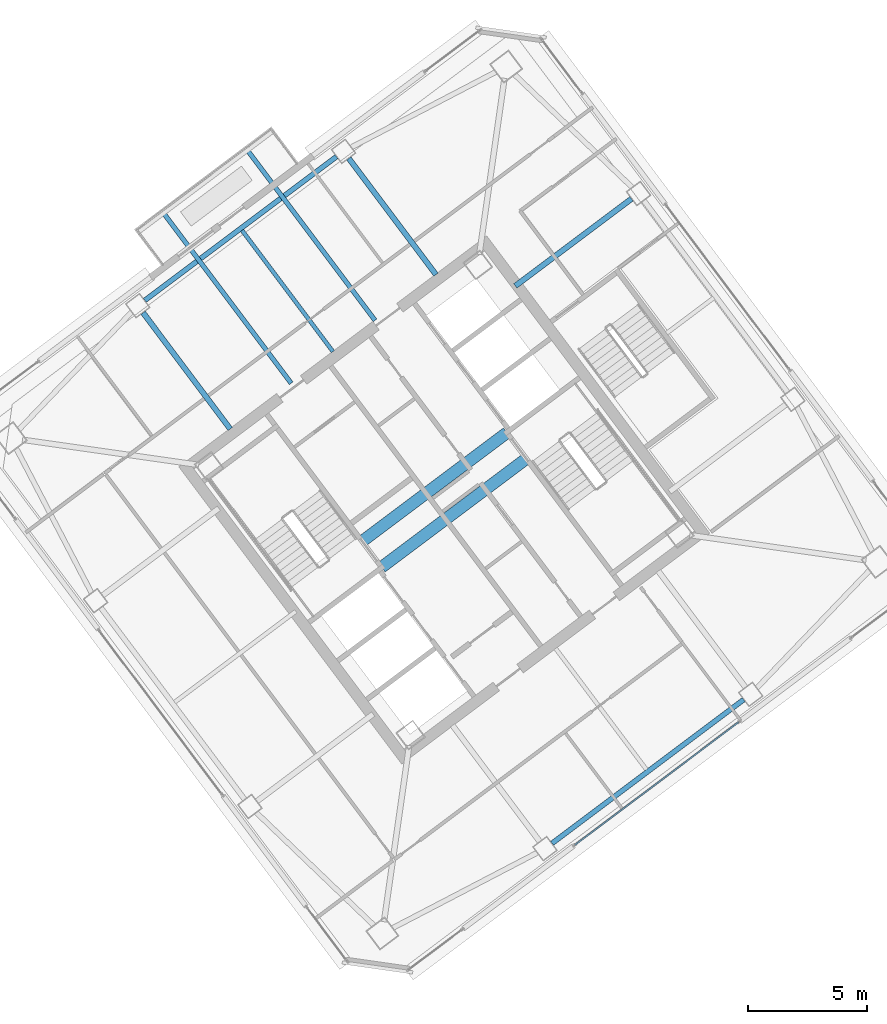
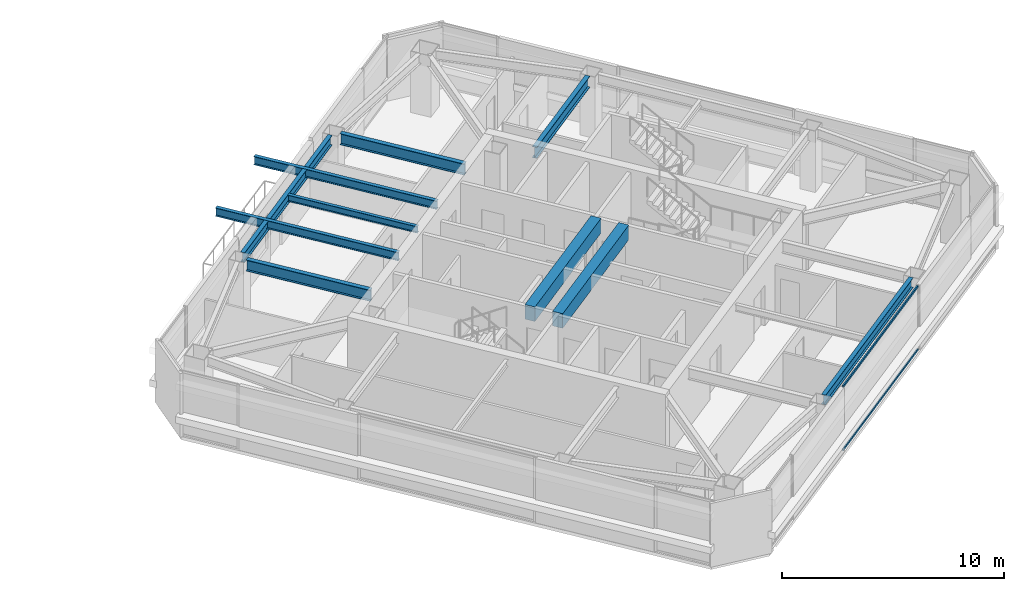
# One storey, part 20 of 36: 10 beams, 2 members, 1 element without a shape of its own.
"""IFC4 building model written with IfcOpenShell, lengths in metres."""

from ifc_helpers import new_model, si_unit, direction, frame, origin, origin_2d, place, context, subcontext, project, spatial, rectangle, hollow_rectangle, i_section, extrude, material, material_profile, profile_set, type_object, element, aggregate, save


model = new_model("IFC4")

# Units and contexts
model_context = context("Model", 3, precision=1e-05, world=origin(), true_north=direction((0.0, 1.0)))
body_context = subcontext(model_context, "Body", "Model", "MODEL_VIEW")
ifc_project = project(units=[si_unit("LENGTHUNIT", "METRE"), si_unit("AREAUNIT", "SQUARE_METRE"), si_unit("VOLUMEUNIT", "CUBIC_METRE"), si_unit("PLANEANGLEUNIT", "RADIAN"), si_unit("MASSUNIT", "GRAM", prefix="KILO")], contexts=[model_context])

# Site, building, storey
site_placement = place(None, origin())
site = spatial("IfcSite", under=ifc_project, at=site_placement, CompositionType="ELEMENT")
building_placement = place(site_placement, origin())
building = spatial("IfcBuilding", under=site, at=building_placement, Name="Tashvorn Skyway Center", CompositionType="ELEMENT")
storey_placement = place(building_placement, frame((0.0, 0.0, 236.14990234375)))
storey = spatial("IfcBuildingStorey", under=building, at=storey_placement, Name="L64", CompositionType="ELEMENT", Elevation=236.14990234375)

# Beams
ifc_material_1 = material(Name="Steel ASTM A992 Grade 50", Category="steel")
ifc_material_profile_1 = material_profile(ifc_material_1, i_section(OverallWidth=0.22998046875, OverallDepth=0.616943359375, WebThickness=0.01318359375, FlangeThickness=0.022216796875, at=origin_2d()), Name="W24X94")
ifc_profile_set_1 = profile_set([ifc_material_profile_1], Name="Steel ASTM A992 Grade 50")
beam_type_1 = type_object("IfcBeamType", Name="BM-BEAM-W24X94", PredefinedType="BEAM", material=ifc_profile_set_1)
for number, where, z_axis, x_axis, name in (
    (1, (121.864013671875, 44.64794921875, 3.0615234375), (-0.800014407953, -0.599980788915, 0.0), (0.599980788915, -0.800014407953, 0.0), "Tower 2 L64 Primary Floor Girder FC-E2"),
    (2, (109.991943359375, 46.343994140625, 3.0615234375), (0.600025614447, -0.799980788524, 0.0), (0.799980788524, 0.600025614447, 0.0), "Tower 2 L64 Primary Floor Girder FC-N1"),
    (3, (101.35205078125, 39.864013671875, 3.0615234375), (0.599980788915, -0.800014407953, 0.0), (0.800014407953, 0.599980788915, 0.0), "Tower 2 L64 Primary Floor Girder FC-N2"),
):
    element("IfcBeam", number, at=place(storey_placement, frame(where, z_axis=z_axis, x_axis=x_axis)), inside=storey, type_object=beam_type_1, Name=name, PredefinedType="BEAM", context=body_context, shape_type="SweptSolid", body=[
        extrude(i_section(OverallWidth=0.22998046875, OverallDepth=0.616943359375, WebThickness=0.01318359375, FlangeThickness=0.022216796875, at=origin_2d()), origin(), (0.0, 0.0, 1.0), 6.10009765625),
    ])
ifc_material_profile_2 = material_profile(ifc_material_1, i_section(OverallWidth=0.1708984375, OverallDepth=0.35498046875, WebThickness=0.007080078125, FlangeThickness=0.01171875, at=origin_2d()), Name="W14X34")
ifc_profile_set_2 = profile_set([ifc_material_profile_2], Name="Steel ASTM A992 Grade 50")
beam_type_2 = type_object("IfcBeamType", Name="BM-JOIST-W14X34", PredefinedType="JOIST", material=ifc_profile_set_2)
beam_placement = place(storey_placement, frame((109.325927734375, 38.23193359375, 3.192626953125), z_axis=(-0.599981581373, 0.800013813639, 0.0), x_axis=(-0.800013813639, -0.599981581373, 0.0)))
element("IfcBeam", 4, at=beam_placement, inside=storey, type_object=beam_type_2, Name="Tower 2 L64 Secondary Composite Joist JN", PredefinedType="JOIST", context=body_context, shape_type="SweptSolid", body=[
    extrude(i_section(OverallWidth=0.1708984375, OverallDepth=0.35498046875, WebThickness=0.007080078125, FlangeThickness=0.01171875, at=origin_2d()), origin(), (0.0, 0.0, 1.0), 6.362548828125),
])
ifc_material_profile_3 = material_profile(ifc_material_1, i_section(OverallWidth=0.19091796875, OverallDepth=0.4599609375, WebThickness=0.010009765625, FlangeThickness=0.01611328125, at=origin_2d()), Name="W18X55")
ifc_profile_set_3 = profile_set([ifc_material_profile_3], Name="Steel ASTM A992 Grade 50")
beam_type_3 = type_object("IfcBeamType", Name="BM-JOIST-W18X55", PredefinedType="JOIST", material=ifc_profile_set_3)
for number, where, z_axis, x_axis, name in (
    (5, (107.572021484375, 36.904052734375, 3.14013671875), (-0.600004354752, 0.799996733918, 0.0), (-0.799996733918, -0.600004354752, 0.0), "Tower 2 L65 Terrace Cantilever Outlooker 1"),
    (6, (111.092041015625, 39.5439453125, 3.14013671875), (-0.600004354752, 0.799996733918, 0.0), (-0.799996733918, -0.600004354752, 0.0), "Tower 2 L65 Terrace Cantilever Outlooker 2"),
):
    element("IfcBeam", number, at=place(storey_placement, frame(where, z_axis=z_axis, x_axis=x_axis)), inside=storey, type_object=beam_type_3, Name=name, PredefinedType="JOIST", context=body_context, shape_type="SweptSolid", body=[
        extrude(i_section(OverallWidth=0.19091796875, OverallDepth=0.4599609375, WebThickness=0.010009765625, FlangeThickness=0.01611328125, at=origin_2d()), origin(), (0.0, 0.0, 1.0), 8.969970703125),
    ])
ifc_material_2 = material(Name="Concrete C50/60", Category="concrete")
ifc_material_profile_4 = material_profile(ifc_material_2, rectangle(XDim=0.5, YDim=0.800048828125, at=origin_2d()), Name="RCB500x800")
ifc_profile_set_4 = profile_set([ifc_material_profile_4], Name="Concrete C50/60")
beam_type_4 = type_object("IfcBeamType", Name="BM-LINTEL-RCB500x800", PredefinedType="LINTEL", material=ifc_profile_set_4)
for number, where, z_axis, x_axis, name in (
    (7, (110.552001953125, 30.263916015625, 2.97021484375), (0.8, 0.6, 0.0), (-0.6, 0.8, 0.0), "Tower 2 L64 Core Coupling Beam CN"),
    (8, (111.367919921875, 29.176025390625, 2.97021484375), (0.8, 0.6, 0.0), (-0.6, 0.8, 0.0), "Tower 2 L64 Core Coupling Beam CS"),
):
    element("IfcBeam", number, at=place(storey_placement, frame(where, z_axis=z_axis, x_axis=x_axis)), inside=storey, type_object=beam_type_4, Name=name, PredefinedType="LINTEL", context=body_context, shape_type="SweptSolid", body=[
        extrude(rectangle(XDim=0.5, YDim=0.800048828125, at=origin_2d()), origin(), (0.0, 0.0, 1.0), 7.60009765625),
    ])
ifc_material_profile_5 = material_profile(ifc_material_1, i_section(OverallWidth=0.2109375, OverallDepth=0.5390625, WebThickness=0.01171875, FlangeThickness=0.018798828125, at=origin_2d()), Name="W21X73")
ifc_profile_set_5 = profile_set([ifc_material_profile_5], Name="Steel ASTM A992 Grade 50")
beam_type_5 = type_object("IfcBeamType", Name="BM-SPANDREL-W21X73", PredefinedType="SPANDREL", material=ifc_profile_set_5)
for number, where, z_axis, x_axis, name in (
    (9, (118.52587890625, 17.58203125, 3.1005859375), (0.800008736549, 0.599988351091, 0.0), (-0.599988351091, 0.800008736549, 0.0), "Tower 2 L64 Spandrel Beam 02"),
    (10, (109.47412109375, 46.41796875, 3.1005859375), (-0.800008736549, -0.599988351091, 0.0), (0.599988351091, -0.800008736549, 0.0), "Tower 2 L64 Spandrel Beam 08"),
):
    element("IfcBeam", number, at=place(storey_placement, frame(where, z_axis=z_axis, x_axis=x_axis)), inside=storey, type_object=beam_type_5, Name=name, PredefinedType="SPANDREL", context=body_context, shape_type="SweptSolid", body=[
        extrude(i_section(OverallWidth=0.2109375, OverallDepth=0.5390625, WebThickness=0.01171875, FlangeThickness=0.018798828125, at=origin_2d()), origin(), (0.0, 0.0, 1.0), 10.06005859375),
    ])

# Curtain wall, members
ifc_material_3 = material(Name="Thermally broken bronze-anodized aluminium 6063-T6", Category="aluminium")
curtain_wall_type = type_object("IfcCurtainWallType", Name="CW-CW-Z5", PredefinedType="NOTDEFINED", material=ifc_material_3)
curtain_wall_placement = place(storey_placement, origin())
curtain_wall = element("IfcCurtainWall", 11, at=curtain_wall_placement, inside=storey, type_object=curtain_wall_type, Name="Tower 2 L64 South Unitised Curtain Wall Glazing Group 2", PredefinedType="NOTDEFINED")
ifc_material_profile_6 = material_profile(ifc_material_3, hollow_rectangle(XDim=0.070068359375, YDim=0.114990234375, WallThickness=0.00390625, at=origin_2d()), Name="ALU-TRAN-70x115")
ifc_profile_set_6 = profile_set([ifc_material_profile_6], Name="Thermally broken bronze-anodized aluminium 6063-T6")
member_type = type_object("IfcMemberType", Name="CWT-CW-Z5", PredefinedType="USERDEFINED", material=ifc_profile_set_6)
member_1_placement = place(storey_placement, frame((126.360107421875, 22.669921875, 0.03515625), z_axis=(-0.800003414549, -0.599995447241, 0.0), x_axis=(0.599995447241, -0.800003414549, 0.0)))
member_1 = element("IfcMember", 12, at=member_1_placement, type_object=member_type, Name="CW-Z5 transom 1.1", ObjectType="TRANSOM", PredefinedType="USERDEFINED", context=body_context, shape_type="SweptSolid", body=[
    extrude(hollow_rectangle(XDim=0.070068359375, YDim=0.114990234375, WallThickness=0.00390625, at=origin_2d()), origin(), (0.0, 0.0, 1.0), 8.580078125),
])
member_2_placement = place(storey_placement, frame((126.360107421875, 22.669921875, 3.51513671875), z_axis=(-0.800003414549, -0.599995447241, 0.0), x_axis=(0.599995447241, -0.800003414549, 0.0)))
member_2 = element("IfcMember", 13, at=member_2_placement, type_object=member_type, Name="CW-Z5 transom 1.2", ObjectType="TRANSOM", PredefinedType="USERDEFINED", context=body_context, shape_type="SweptSolid", body=[
    extrude(hollow_rectangle(XDim=0.070068359375, YDim=0.114990234375, WallThickness=0.00390625, at=origin_2d()), origin(), (0.0, 0.0, 1.0), 8.580078125),
])
aggregate(curtain_wall, [member_1, member_2])

save(model, "model.ifc")
